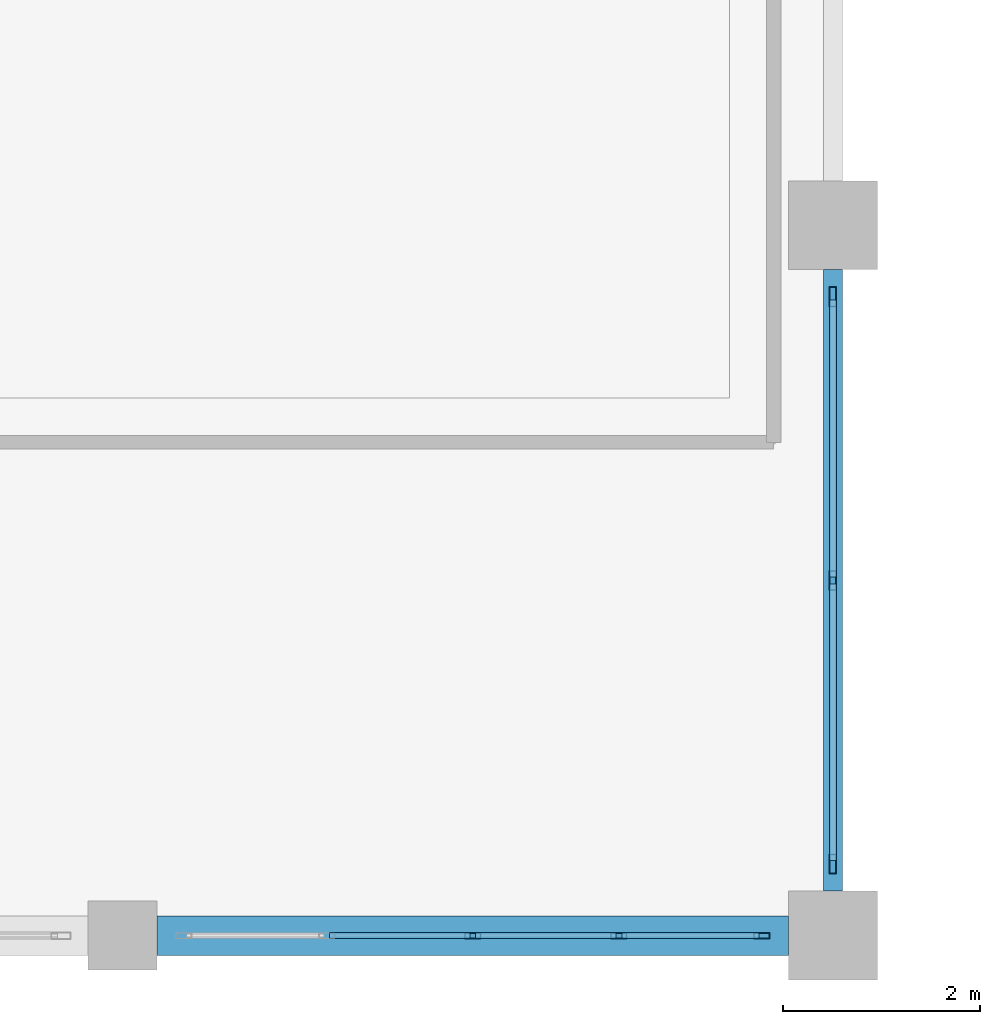
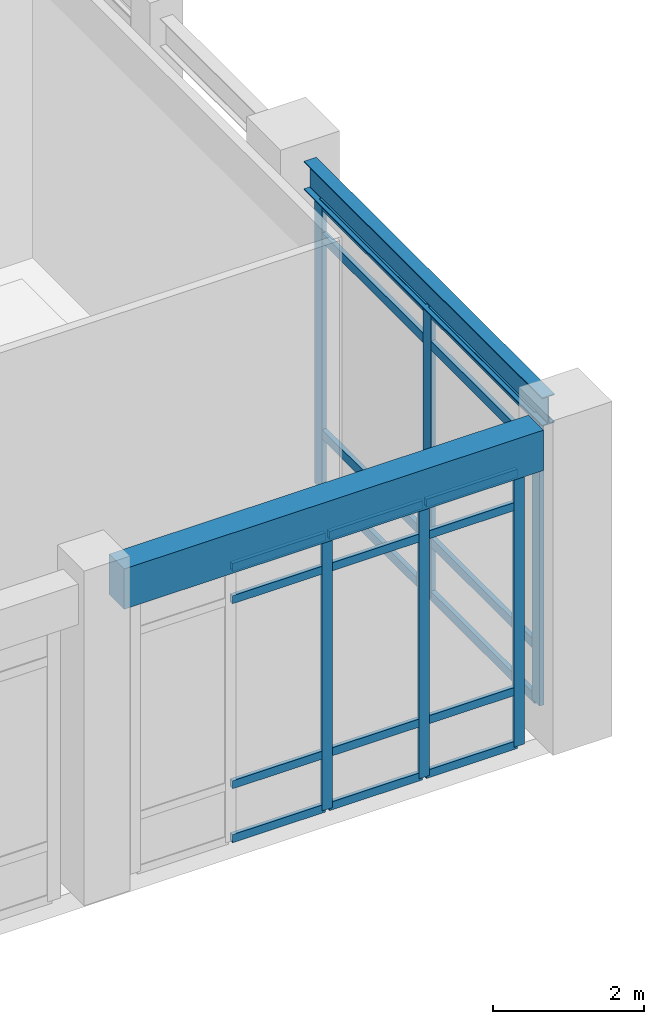
# One storey, part 17 of 102: 26 members, 2 beams, 2 elements without a shape of their own.
"""IFC4 building model written with IfcOpenShell, lengths in metres."""

from ifc_helpers import new_model, si_unit, direction, frame, origin, origin_2d, place, context, subcontext, project, spatial, rectangle, hollow_rectangle, i_section, extrude, material, layer, layer_set, material_profile, profile_set, type_object, element, aggregate, save


model = new_model("IFC4")

# Units and contexts
model_context = context("Model", 3, precision=1e-05, world=origin(), true_north=direction((0.0, 1.0)))
body_context = subcontext(model_context, "Body", "Model", "MODEL_VIEW")
ifc_project = project(units=[si_unit("LENGTHUNIT", "METRE"), si_unit("AREAUNIT", "SQUARE_METRE"), si_unit("VOLUMEUNIT", "CUBIC_METRE"), si_unit("PLANEANGLEUNIT", "RADIAN"), si_unit("MASSUNIT", "GRAM", prefix="KILO")], contexts=[model_context])

# Site, building, storey
site_placement = place(None, origin())
site = spatial("IfcSite", under=ifc_project, at=site_placement, CompositionType="ELEMENT")
building_placement = place(site_placement, origin())
building = spatial("IfcBuilding", under=site, at=building_placement, Name="Carrowvane Square Congress Hotel", CompositionType="ELEMENT")
storey_placement = place(building_placement, origin())
storey = spatial("IfcBuildingStorey", under=building, at=storey_placement, Name="L00", CompositionType="ELEMENT", Elevation=0.0)

# Beam
ifc_material_1 = material(Name="Steel S355", Category="steel")
ifc_material_profile_1 = material_profile(ifc_material_1, i_section(OverallWidth=0.19140625, OverallDepth=0.4599609375, WebThickness=0.010009765625, FlangeThickness=0.01611328125, FilletRadius=0.01025390625, at=origin_2d()), Name="UKB 457x191x82")
ifc_profile_set_1 = profile_set([ifc_material_profile_1], Name="Steel S355")
beam_type_1 = type_object("IfcBeamType", Name="BM-ST-UKB457", PredefinedType="SPANDREL", material=ifc_profile_set_1)
beam_1_placement = place(storey_placement, frame((62.0, 5.85009765625, 4.8701171875), z_axis=(0.0, 1.0, 0.0), x_axis=(-1.0, 0.0, 0.0)))
element("IfcBeam", 1, at=beam_1_placement, inside=storey, type_object=beam_type_1, Name="L01 girder 8/A-B", PredefinedType="SPANDREL", context=body_context, shape_type="SweptSolid", body=[
    extrude(i_section(OverallWidth=0.19140625, OverallDepth=0.4599609375, WebThickness=0.010009765625, FlangeThickness=0.01611328125, FilletRadius=0.01025390625, at=origin_2d()), origin(), (0.0, 0.0, 1.0), 6.2998046875),
])

# Curtain wall, members
ifc_material_2 = material(Name="Anodised aluminium", Category="aluminium")
ifc_layer_1 = layer(ifc_material_2, 0.2099609375)
ifc_layer_set_1 = layer_set([ifc_layer_1], Name="Anodised aluminium")
curtain_wall_type_1 = type_object("IfcCurtainWallType", Name="CW-SYS-5", PredefinedType="NOTDEFINED", material=ifc_layer_set_1)
curtain_wall_1_placement = place(storey_placement, origin())
curtain_wall_1 = element("IfcCurtainWall", 2, at=curtain_wall_1_placement, inside=storey, type_object=curtain_wall_type_1, Name="L00 unitised curtain wall 60", PredefinedType="NOTDEFINED")
ifc_material_3 = material(Name="Anodised aluminium", Category="aluminium")
ifc_material_profile_2 = material_profile(ifc_material_3, hollow_rectangle(XDim=0.06005859375, YDim=0.159912109375, WallThickness=0.00390625, at=origin_2d()), Name="CW-ML 60x160x4")
ifc_profile_set_2 = profile_set([ifc_material_profile_2], Name="Anodised aluminium")
member_type_1 = type_object("IfcMemberType", Name="CW-MUL-1", PredefinedType="MULLION", material=ifc_profile_set_2)
member_1_placement = place(storey_placement, frame((61.280029296875, 5.39990234375, 0.0), z_axis=(0.0, 0.0, 1.0), x_axis=(0.0, -1.0, 0.0)))
member_1 = element("IfcMember", 3, at=member_1_placement, type_object=member_type_1, Name="CW-5 mullion 1", PredefinedType="MULLION", context=body_context, shape_type="SweptSolid", body=[
    extrude(hollow_rectangle(XDim=0.06005859375, YDim=0.159912109375, WallThickness=0.00390625, at=origin_2d()), origin(), (0.0, 0.0, 1.0), 4.43505859375),
])
member_2_placement = place(storey_placement, frame((59.830078125, 5.39990234375, 0.0), z_axis=(0.0, 0.0, 1.0), x_axis=(0.0, -1.0, 0.0)))
member_2 = element("IfcMember", 4, at=member_2_placement, type_object=member_type_1, Name="CW-5 mullion 2", PredefinedType="MULLION", context=body_context, shape_type="SweptSolid", body=[
    extrude(hollow_rectangle(XDim=0.06005859375, YDim=0.159912109375, WallThickness=0.00390625, at=origin_2d()), origin(), (0.0, 0.0, 1.0), 4.43505859375),
])
member_3_placement = place(storey_placement, frame((58.35009765625, 5.39990234375, 0.0), z_axis=(0.0, 0.0, 1.0), x_axis=(0.0, -1.0, 0.0)))
member_3 = element("IfcMember", 5, at=member_3_placement, type_object=member_type_1, Name="CW-5 mullion 3", PredefinedType="MULLION", context=body_context, shape_type="SweptSolid", body=[
    extrude(hollow_rectangle(XDim=0.06005859375, YDim=0.159912109375, WallThickness=0.00390625, at=origin_2d()), origin(), (0.0, 0.0, 1.0), 4.43505859375),
])

ifc_material_4 = material(Name="Anodised aluminium", Category="aluminium")
ifc_layer_2 = layer(ifc_material_4, 0.197998046875)
ifc_layer_set_2 = layer_set([ifc_layer_2], Name="Anodised aluminium")
curtain_wall_type_2 = type_object("IfcCurtainWallType", Name="CW-SYS-4", PredefinedType="NOTDEFINED", material=ifc_layer_set_2)
curtain_wall_2_placement = place(storey_placement, origin())
curtain_wall_2 = element("IfcCurtainWall", 6, at=curtain_wall_2_placement, inside=storey, type_object=curtain_wall_type_2, Name="L00 unitised curtain wall 59", PredefinedType="NOTDEFINED")
ifc_material_5 = material(Name="Anodised aluminium", Category="aluminium")
ifc_material_profile_3 = material_profile(ifc_material_5, hollow_rectangle(XDim=0.070068359375, YDim=0.199951171875, WallThickness=0.0048828125, at=origin_2d()), Name="CW-ML 70x200x5")
ifc_profile_set_3 = profile_set([ifc_material_profile_3], Name="Anodised aluminium")
member_type_2 = type_object("IfcMemberType", Name="CW-MUL-2", PredefinedType="MULLION", material=ifc_profile_set_3)
member_4_placement = place(storey_placement, frame((62.0, 11.875, 0.0), z_axis=(0.0, 0.0, 1.0), x_axis=(1.0, 0.0, 0.0)))
member_4 = element("IfcMember", 7, at=member_4_placement, type_object=member_type_2, Name="CW-4 mullion 1", PredefinedType="MULLION", context=body_context, shape_type="SweptSolid", body=[
    extrude(hollow_rectangle(XDim=0.070068359375, YDim=0.199951171875, WallThickness=0.0048828125, at=origin_2d()), origin(), (0.0, 0.0, 1.0), 4.625),
])
member_5_placement = place(storey_placement, frame((62.0, 9.0, 0.0), z_axis=(0.0, 0.0, 1.0), x_axis=(1.0, 0.0, 0.0)))
member_5 = element("IfcMember", 8, at=member_5_placement, type_object=member_type_2, Name="CW-4 mullion 2", PredefinedType="MULLION", context=body_context, shape_type="SweptSolid", body=[
    extrude(hollow_rectangle(XDim=0.070068359375, YDim=0.199951171875, WallThickness=0.0048828125, at=origin_2d()), origin(), (0.0, 0.0, 1.0), 4.625),
])
member_6_placement = place(storey_placement, frame((62.0, 6.125, 0.0), z_axis=(0.0, 0.0, 1.0), x_axis=(1.0, 0.0, 0.0)))
member_6 = element("IfcMember", 9, at=member_6_placement, type_object=member_type_2, Name="CW-4 mullion 3", PredefinedType="MULLION", context=body_context, shape_type="SweptSolid", body=[
    extrude(hollow_rectangle(XDim=0.070068359375, YDim=0.199951171875, WallThickness=0.0048828125, at=origin_2d()), origin(), (0.0, 0.0, 1.0), 4.625),
])

# Member
ifc_material_6 = material(Name="Anodised aluminium", Category="aluminium")
ifc_material_profile_4 = material_profile(ifc_material_6, hollow_rectangle(XDim=0.06005859375, YDim=0.1298828125, WallThickness=0.00390625, at=origin_2d()), Name="CW-TR 60x130x4")
ifc_profile_set_4 = profile_set([ifc_material_profile_4], Name="Anodised aluminium")
member_type_3 = type_object("IfcMemberType", Name="CW-TRN-1", PredefinedType="USERDEFINED", material=ifc_profile_set_4)
member_7_placement = place(storey_placement, frame((61.25, 5.39990234375, 0.030029296875), z_axis=(-1.0, 0.0, 0.0), x_axis=(0.0, -1.0, 0.0)))
member_7 = element("IfcMember", 10, at=member_7_placement, type_object=member_type_3, Name="CW-5 transom 1.1", ObjectType="TRANSOM", PredefinedType="USERDEFINED", context=body_context, shape_type="SweptSolid", body=[
    extrude(hollow_rectangle(XDim=0.06005859375, YDim=0.1298828125, WallThickness=0.00390625, at=origin_2d()), origin(), (0.0, 0.0, 1.0), 1.389892578125),
])

member_8_placement = place(storey_placement, frame((61.25, 5.39990234375, 0.89990234375), z_axis=(-1.0, 0.0, 0.0), x_axis=(0.0, -1.0, 0.0)))
member_8 = element("IfcMember", 11, at=member_8_placement, type_object=member_type_3, Name="CW-5 transom 1.2", ObjectType="TRANSOM", PredefinedType="USERDEFINED", context=body_context, shape_type="SweptSolid", body=[
    extrude(hollow_rectangle(XDim=0.06005859375, YDim=0.1298828125, WallThickness=0.00390625, at=origin_2d()), origin(), (0.0, 0.0, 1.0), 1.389892578125),
])

member_9_placement = place(storey_placement, frame((61.25, 5.39990234375, 3.885009765625), z_axis=(-1.0, 0.0, 0.0), x_axis=(0.0, -1.0, 0.0)))
member_9 = element("IfcMember", 12, at=member_9_placement, type_object=member_type_3, Name="CW-5 transom 1.3", ObjectType="TRANSOM", PredefinedType="USERDEFINED", context=body_context, shape_type="SweptSolid", body=[
    extrude(hollow_rectangle(XDim=0.06005859375, YDim=0.1298828125, WallThickness=0.00390625, at=origin_2d()), origin(), (0.0, 0.0, 1.0), 1.389892578125),
])

member_10_placement = place(storey_placement, frame((61.25, 5.39990234375, 4.405029296875), z_axis=(-1.0, 0.0, 0.0), x_axis=(0.0, -1.0, 0.0)))
member_10 = element("IfcMember", 13, at=member_10_placement, type_object=member_type_3, Name="CW-5 transom 1.4", ObjectType="TRANSOM", PredefinedType="USERDEFINED", context=body_context, shape_type="SweptSolid", body=[
    extrude(hollow_rectangle(XDim=0.06005859375, YDim=0.1298828125, WallThickness=0.00390625, at=origin_2d()), origin(), (0.0, 0.0, 1.0), 1.389892578125),
])

member_11_placement = place(storey_placement, frame((59.800048828125, 5.39990234375, 0.030029296875), z_axis=(-1.0, 0.0, 0.0), x_axis=(0.0, -1.0, 0.0)))
member_11 = element("IfcMember", 14, at=member_11_placement, type_object=member_type_3, Name="CW-5 transom 2.1", ObjectType="TRANSOM", PredefinedType="USERDEFINED", context=body_context, shape_type="SweptSolid", body=[
    extrude(hollow_rectangle(XDim=0.06005859375, YDim=0.1298828125, WallThickness=0.00390625, at=origin_2d()), origin(), (0.0, 0.0, 1.0), 1.420166015625),
])

member_12_placement = place(storey_placement, frame((59.800048828125, 5.39990234375, 0.89990234375), z_axis=(-1.0, 0.0, 0.0), x_axis=(0.0, -1.0, 0.0)))
member_12 = element("IfcMember", 15, at=member_12_placement, type_object=member_type_3, Name="CW-5 transom 2.2", ObjectType="TRANSOM", PredefinedType="USERDEFINED", context=body_context, shape_type="SweptSolid", body=[
    extrude(hollow_rectangle(XDim=0.06005859375, YDim=0.1298828125, WallThickness=0.00390625, at=origin_2d()), origin(), (0.0, 0.0, 1.0), 1.420166015625),
])

member_13_placement = place(storey_placement, frame((59.800048828125, 5.39990234375, 3.885009765625), z_axis=(-1.0, 0.0, 0.0), x_axis=(0.0, -1.0, 0.0)))
member_13 = element("IfcMember", 16, at=member_13_placement, type_object=member_type_3, Name="CW-5 transom 2.3", ObjectType="TRANSOM", PredefinedType="USERDEFINED", context=body_context, shape_type="SweptSolid", body=[
    extrude(hollow_rectangle(XDim=0.06005859375, YDim=0.1298828125, WallThickness=0.00390625, at=origin_2d()), origin(), (0.0, 0.0, 1.0), 1.420166015625),
])

member_14_placement = place(storey_placement, frame((59.800048828125, 5.39990234375, 4.405029296875), z_axis=(-1.0, 0.0, 0.0), x_axis=(0.0, -1.0, 0.0)))
member_14 = element("IfcMember", 17, at=member_14_placement, type_object=member_type_3, Name="CW-5 transom 2.4", ObjectType="TRANSOM", PredefinedType="USERDEFINED", context=body_context, shape_type="SweptSolid", body=[
    extrude(hollow_rectangle(XDim=0.06005859375, YDim=0.1298828125, WallThickness=0.00390625, at=origin_2d()), origin(), (0.0, 0.0, 1.0), 1.420166015625),
])

member_15_placement = place(storey_placement, frame((58.320068359375, 5.39990234375, 0.030029296875), z_axis=(-1.0, 0.0, 0.0), x_axis=(0.0, -1.0, 0.0)))
member_15 = element("IfcMember", 18, at=member_15_placement, type_object=member_type_3, Name="CW-5 transom 3.1", ObjectType="TRANSOM", PredefinedType="USERDEFINED", context=body_context, shape_type="SweptSolid", body=[
    extrude(hollow_rectangle(XDim=0.06005859375, YDim=0.1298828125, WallThickness=0.00390625, at=origin_2d()), origin(), (0.0, 0.0, 1.0), 1.420166015625),
])

member_16_placement = place(storey_placement, frame((58.320068359375, 5.39990234375, 0.89990234375), z_axis=(-1.0, 0.0, 0.0), x_axis=(0.0, -1.0, 0.0)))
member_16 = element("IfcMember", 19, at=member_16_placement, type_object=member_type_3, Name="CW-5 transom 3.2", ObjectType="TRANSOM", PredefinedType="USERDEFINED", context=body_context, shape_type="SweptSolid", body=[
    extrude(hollow_rectangle(XDim=0.06005859375, YDim=0.1298828125, WallThickness=0.00390625, at=origin_2d()), origin(), (0.0, 0.0, 1.0), 1.420166015625),
])

member_17_placement = place(storey_placement, frame((58.320068359375, 5.39990234375, 3.885009765625), z_axis=(-1.0, 0.0, 0.0), x_axis=(0.0, -1.0, 0.0)))
member_17 = element("IfcMember", 20, at=member_17_placement, type_object=member_type_3, Name="CW-5 transom 3.3", ObjectType="TRANSOM", PredefinedType="USERDEFINED", context=body_context, shape_type="SweptSolid", body=[
    extrude(hollow_rectangle(XDim=0.06005859375, YDim=0.1298828125, WallThickness=0.00390625, at=origin_2d()), origin(), (0.0, 0.0, 1.0), 1.420166015625),
])

member_18_placement = place(storey_placement, frame((58.320068359375, 5.39990234375, 4.405029296875), z_axis=(-1.0, 0.0, 0.0), x_axis=(0.0, -1.0, 0.0)))
member_18 = element("IfcMember", 21, at=member_18_placement, type_object=member_type_3, Name="CW-5 transom 3.4", ObjectType="TRANSOM", PredefinedType="USERDEFINED", context=body_context, shape_type="SweptSolid", body=[
    extrude(hollow_rectangle(XDim=0.06005859375, YDim=0.1298828125, WallThickness=0.00390625, at=origin_2d()), origin(), (0.0, 0.0, 1.0), 1.420166015625),
])

aggregate(curtain_wall_1, [member_1, member_2, member_3, member_7, member_8, member_9, member_10, member_11, member_12, member_13, member_14, member_15, member_16, member_17, member_18])

ifc_material_7 = material(Name="Anodised aluminium", Category="aluminium")
ifc_material_profile_5 = material_profile(ifc_material_7, hollow_rectangle(XDim=0.070068359375, YDim=0.14990234375, WallThickness=0.0048828125, at=origin_2d()), Name="CW-TR 70x150x5")
ifc_profile_set_5 = profile_set([ifc_material_profile_5], Name="Anodised aluminium")
member_type_4 = type_object("IfcMemberType", Name="CW-TRN-2", PredefinedType="USERDEFINED", material=ifc_profile_set_5)
member_19_placement = place(storey_placement, frame((62.0, 11.840087890625, 0.034912109375), z_axis=(0.0, -1.0, 0.0), x_axis=(1.0, 0.0, 0.0)))
member_19 = element("IfcMember", 22, at=member_19_placement, type_object=member_type_4, Name="CW-4 transom 1.1", ObjectType="TRANSOM", PredefinedType="USERDEFINED", context=body_context, shape_type="SweptSolid", body=[
    extrude(hollow_rectangle(XDim=0.070068359375, YDim=0.14990234375, WallThickness=0.0048828125, at=origin_2d()), origin(), (0.0, 0.0, 1.0), 2.80517578125),
])

member_20_placement = place(storey_placement, frame((62.0, 11.840087890625, 0.89990234375), z_axis=(0.0, -1.0, 0.0), x_axis=(1.0, 0.0, 0.0)))
member_20 = element("IfcMember", 23, at=member_20_placement, type_object=member_type_4, Name="CW-4 transom 1.2", ObjectType="TRANSOM", PredefinedType="USERDEFINED", context=body_context, shape_type="SweptSolid", body=[
    extrude(hollow_rectangle(XDim=0.070068359375, YDim=0.14990234375, WallThickness=0.0048828125, at=origin_2d()), origin(), (0.0, 0.0, 1.0), 2.80517578125),
])

member_21_placement = place(storey_placement, frame((62.0, 11.840087890625, 4.074951171875), z_axis=(0.0, -1.0, 0.0), x_axis=(1.0, 0.0, 0.0)))
member_21 = element("IfcMember", 24, at=member_21_placement, type_object=member_type_4, Name="CW-4 transom 1.3", ObjectType="TRANSOM", PredefinedType="USERDEFINED", context=body_context, shape_type="SweptSolid", body=[
    extrude(hollow_rectangle(XDim=0.070068359375, YDim=0.14990234375, WallThickness=0.0048828125, at=origin_2d()), origin(), (0.0, 0.0, 1.0), 2.80517578125),
])

member_22_placement = place(storey_placement, frame((62.0, 11.840087890625, 4.590087890625), z_axis=(0.0, -1.0, 0.0), x_axis=(1.0, 0.0, 0.0)))
member_22 = element("IfcMember", 25, at=member_22_placement, type_object=member_type_4, Name="CW-4 transom 1.4", ObjectType="TRANSOM", PredefinedType="USERDEFINED", context=body_context, shape_type="SweptSolid", body=[
    extrude(hollow_rectangle(XDim=0.070068359375, YDim=0.14990234375, WallThickness=0.0048828125, at=origin_2d()), origin(), (0.0, 0.0, 1.0), 2.80517578125),
])

member_23_placement = place(storey_placement, frame((62.0, 8.965087890625, 0.034912109375), z_axis=(0.0, -1.0, 0.0), x_axis=(1.0, 0.0, 0.0)))
member_23 = element("IfcMember", 26, at=member_23_placement, type_object=member_type_4, Name="CW-4 transom 2.1", ObjectType="TRANSOM", PredefinedType="USERDEFINED", context=body_context, shape_type="SweptSolid", body=[
    extrude(hollow_rectangle(XDim=0.070068359375, YDim=0.14990234375, WallThickness=0.0048828125, at=origin_2d()), origin(), (0.0, 0.0, 1.0), 2.80517578125),
])

member_24_placement = place(storey_placement, frame((62.0, 8.965087890625, 0.89990234375), z_axis=(0.0, -1.0, 0.0), x_axis=(1.0, 0.0, 0.0)))
member_24 = element("IfcMember", 27, at=member_24_placement, type_object=member_type_4, Name="CW-4 transom 2.2", ObjectType="TRANSOM", PredefinedType="USERDEFINED", context=body_context, shape_type="SweptSolid", body=[
    extrude(hollow_rectangle(XDim=0.070068359375, YDim=0.14990234375, WallThickness=0.0048828125, at=origin_2d()), origin(), (0.0, 0.0, 1.0), 2.80517578125),
])

member_25_placement = place(storey_placement, frame((62.0, 8.965087890625, 4.074951171875), z_axis=(0.0, -1.0, 0.0), x_axis=(1.0, 0.0, 0.0)))
member_25 = element("IfcMember", 28, at=member_25_placement, type_object=member_type_4, Name="CW-4 transom 2.3", ObjectType="TRANSOM", PredefinedType="USERDEFINED", context=body_context, shape_type="SweptSolid", body=[
    extrude(hollow_rectangle(XDim=0.070068359375, YDim=0.14990234375, WallThickness=0.0048828125, at=origin_2d()), origin(), (0.0, 0.0, 1.0), 2.80517578125),
])

member_26_placement = place(storey_placement, frame((62.0, 8.965087890625, 4.590087890625), z_axis=(0.0, -1.0, 0.0), x_axis=(1.0, 0.0, 0.0)))
member_26 = element("IfcMember", 29, at=member_26_placement, type_object=member_type_4, Name="CW-4 transom 2.4", ObjectType="TRANSOM", PredefinedType="USERDEFINED", context=body_context, shape_type="SweptSolid", body=[
    extrude(hollow_rectangle(XDim=0.070068359375, YDim=0.14990234375, WallThickness=0.0048828125, at=origin_2d()), origin(), (0.0, 0.0, 1.0), 2.80517578125),
])

aggregate(curtain_wall_2, [member_4, member_5, member_6, member_19, member_20, member_21, member_22, member_23, member_24, member_25, member_26])

# Beam
ifc_material_8 = material(Name="Concrete C35/45", Category="concrete")
ifc_material_profile_6 = material_profile(ifc_material_8, rectangle(XDim=0.39990234375, YDim=0.64990234375, at=origin_2d()), Name="RC 400x650")
ifc_profile_set_6 = profile_set([ifc_material_profile_6], Name="Concrete C35/45")
beam_type_2 = type_object("IfcBeamType", Name="SP-RC-400x650", PredefinedType="SPANDREL", material=ifc_profile_set_6)
beam_2_placement = place(storey_placement, frame((55.14990234375, 5.39990234375, 4.77490234375), z_axis=(1.0, 0.0, 0.0), x_axis=(0.0, 1.0, 0.0)))
element("IfcBeam", 30, at=beam_2_placement, inside=storey, type_object=beam_type_2, Name="L01 girder A/7-8", PredefinedType="SPANDREL", context=body_context, shape_type="SweptSolid", body=[
    extrude(rectangle(XDim=0.39990234375, YDim=0.64990234375, at=origin_2d()), origin(), (0.0, 0.0, 1.0), 6.400146484375),
])

save(model, "model.ifc")
